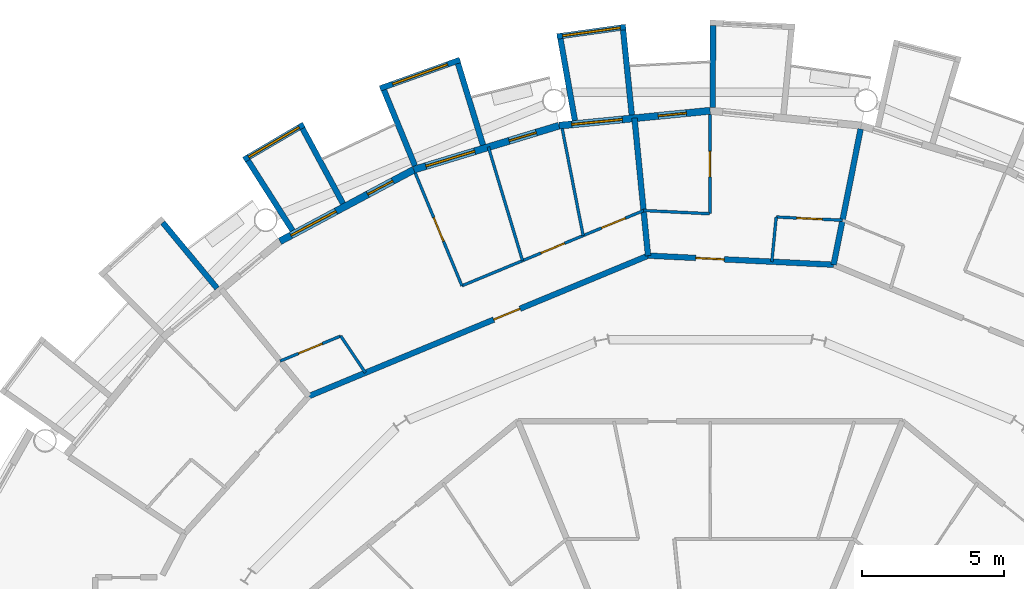
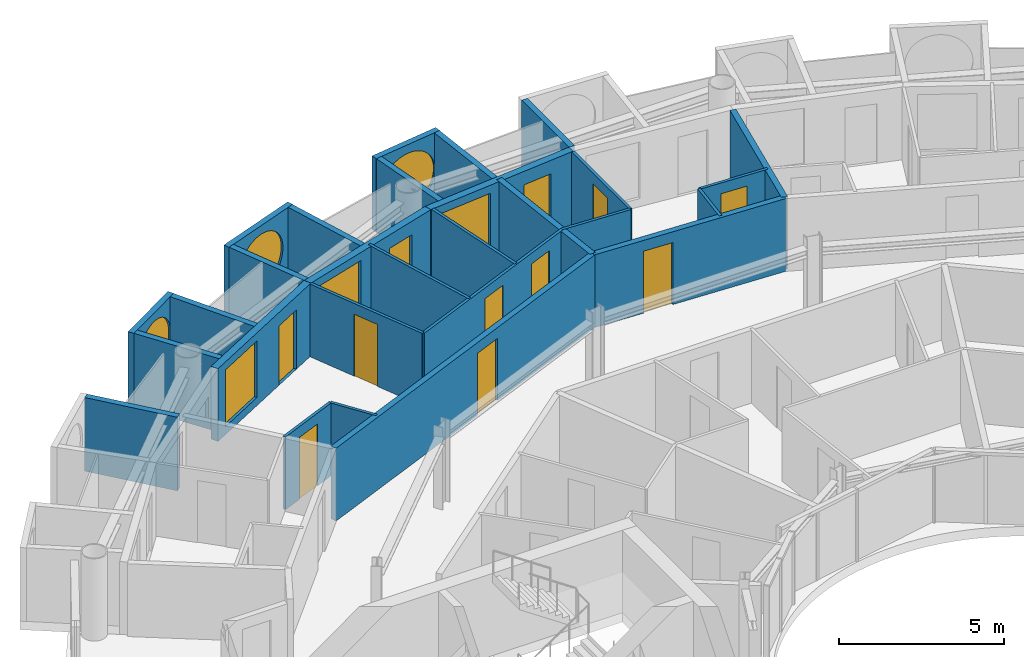
# One storey, part 21 of 28: 28 walls, 11 doors, 6 windows, 17 openings.
"""IFC4 building model written with IfcOpenShell, lengths in metres."""

from ifc_helpers import new_model, si_unit, direction, frame, frame_2d, origin, place, context, subcontext, project, spatial, rectangle, circle, extrude, material, layer, layer_set, type_object, element, fill, save


model = new_model("IFC4")

# Units and contexts
model_context = context("Model", 3, precision=1e-05, world=origin(), true_north=direction((0.0, 1.0)))
body_context = subcontext(model_context, "Body", "Model", "MODEL_VIEW")
ifc_project = project(units=[si_unit("LENGTHUNIT", "METRE"), si_unit("AREAUNIT", "SQUARE_METRE"), si_unit("VOLUMEUNIT", "CUBIC_METRE"), si_unit("PLANEANGLEUNIT", "RADIAN"), si_unit("MASSUNIT", "GRAM", prefix="KILO")], contexts=[model_context])

# Site, building, storey
site_placement = place(None, origin())
site = spatial("IfcSite", under=ifc_project, at=site_placement, CompositionType="ELEMENT")
building_placement = place(site_placement, origin())
building = spatial("IfcBuilding", under=site, at=building_placement, Name="Maasbend Ring Residences", CompositionType="ELEMENT")
storey_placement = place(building_placement, frame((0.0, 0.0, 173.800048828125)))
storey = spatial("IfcBuildingStorey", under=building, at=storey_placement, Name="L50", CompositionType="ELEMENT", Elevation=173.800048828125)

# Wall, opening, door
ifc_material_1 = material(Name="Concrete C30/37", Category="concrete")
ifc_layer_1 = layer(ifc_material_1, 0.199951171875)
ifc_layer_set_1 = layer_set([ifc_layer_1], Name="Concrete C30/37")
wall_type_1 = type_object("IfcWallType", Name="CORRIDOR WALL 200 CONCRETE", PredefinedType="PARTITIONING", material=ifc_layer_set_1)
wall_1_placement = place(storey_placement, frame((-14.14697265625, 17.238037109375, 0.0), z_axis=(0.0, 0.0, 1.0), x_axis=(0.923860535822, 0.382729291212, 0.0)))
wall_1 = element("IfcWall", 1, at=wall_1_placement, inside=storey, type_object=wall_type_1, Name="U-L50-w107", PredefinedType="PARTITIONING", context=body_context, shape_type="SweptSolid", body=[
    extrude(rectangle(XDim=12.94677734375, YDim=0.199951171875, at=frame_2d((6.473388671875, 0.0))), origin(), (0.0, 0.0, 1.0), 2.699951171875),
])
opening_1_placement = place(wall_1_placement, frame((7.052978515625, 0.0, 0.0)))
opening_1 = element("IfcOpeningElement", 2, at=opening_1_placement, cuts=wall_1, Name="Opening D-5012", PredefinedType="OPENING", context=body_context, shape_type="SweptSolid", body=[
    extrude(rectangle(XDim=1.0, YDim=2.300048828125, at=frame_2d((0.5, 1.14990234375))), frame((0.0, 0.10986328125, 0.0), z_axis=(0.0, -1.0, 0.0), x_axis=(1.0, 0.0, 0.0)), (0.0, 0.0, 1.0), 0.219970703125),
])
ifc_material_2 = material(Name="Timber, fire-rated, painted", Category="wood")
door_type_1 = type_object("IfcDoorType", Name="FLAT ENTRANCE DOOR 1000 X 2300 FIRE-RATED", OperationType="NOTDEFINED", PredefinedType="DOOR", material=ifc_material_2)
door_1_placement = place(opening_1_placement, origin())
door_1 = element("IfcDoor", 3, at=door_1_placement, inside=storey, type_object=door_type_1, Name="D-5012", OperationType="SINGLE_SWING_RIGHT", OverallHeight=2.300048828125, OverallWidth=1.0, PredefinedType="DOOR", context=body_context, shape_type="SweptSolid", body=[
    extrude(rectangle(XDim=1.0, YDim=2.300048828125, at=frame_2d((0.5, 1.14990234375))), frame((0.0, 0.02490234375, 0.0), z_axis=(0.0, -1.0, 0.0), x_axis=(1.0, 0.0, 0.0)), (0.0, 0.0, 1.0), 0.050048828125),
])
fill(opening_1, door_1)

wall_2_placement = place(storey_placement, frame((-2.18603515625, 22.193115234375, 0.0), z_axis=(0.0, 0.0, 1.0), x_axis=(0.998796224858, -0.049052025534, 0.0)))
wall_2 = element("IfcWall", 4, at=wall_2_placement, inside=storey, type_object=wall_type_1, Name="U-L50-w113", PredefinedType="PARTITIONING", context=body_context, shape_type="SweptSolid", body=[
    extrude(rectangle(XDim=6.544921875, YDim=0.199951171875, at=frame_2d((3.2724609375, 0.0))), origin(), (0.0, 0.0, 1.0), 2.699951171875),
])
opening_2_placement = place(wall_2_placement, frame((1.681884765625, 0.0, 0.0)))
opening_2 = element("IfcOpeningElement", 5, at=opening_2_placement, cuts=wall_2, Name="Opening D-5009", PredefinedType="OPENING", context=body_context, shape_type="SweptSolid", body=[
    extrude(rectangle(XDim=1.0, YDim=2.300048828125, at=frame_2d((0.5, 1.14990234375))), frame((0.0, 0.10986328125, 0.0), z_axis=(0.0, -1.0, 0.0), x_axis=(1.0, 0.0, 0.0)), (0.0, 0.0, 1.0), 0.219970703125),
])
door_2_placement = place(opening_2_placement, origin())
door_2 = element("IfcDoor", 6, at=door_2_placement, inside=storey, type_object=door_type_1, Name="D-5009", OperationType="SINGLE_SWING_LEFT", OverallHeight=2.300048828125, OverallWidth=1.0, PredefinedType="DOOR", context=body_context, shape_type="SweptSolid", body=[
    extrude(rectangle(XDim=1.0, YDim=2.300048828125, at=frame_2d((0.5, 1.14990234375))), frame((0.0, 0.02490234375, 0.0), z_axis=(0.0, -1.0, 0.0), x_axis=(1.0, 0.0, 0.0)), (0.0, 0.0, 1.0), 0.050048828125),
])
fill(opening_2, door_2)

# Wall
ifc_material_3 = material(Name="Pale anodised aluminium panel", Category="aluminium")
ifc_layer_2 = layer(ifc_material_3, 0.199951171875)
ifc_layer_set_2 = layer_set([ifc_layer_2], Name="EW-BOX")
wall_type_2 = type_object("IfcWallType", Name="EW-BOX", PredefinedType="SOLIDWALL", material=ifc_layer_set_2)
wall_3_placement = place(storey_placement, frame((0.090087890625, 27.4169921875, -0.030029296875), z_axis=(0.0, 0.0, 1.0), x_axis=(0.00347308367, 0.999993968827, 0.0)))
element("IfcWall", 7, at=wall_3_placement, inside=storey, type_object=wall_type_2, Name="Box side wall N10 right", PredefinedType="SOLIDWALL", context=body_context, shape_type="SweptSolid", body=[
    extrude(rectangle(XDim=2.882080078125, YDim=0.199951171875, at=frame_2d((1.44091796875, 0.0))), origin(), (0.0, 0.0, 1.0), 2.72998046875),
])

# Wall, opening, window
wall_4_placement = place(storey_placement, frame((-2.97607421875, 30.25390625, -0.030029296875), z_axis=(0.0, 0.0, 1.0), x_axis=(-0.990462016113, -0.137786046596, 0.0)))
wall_4 = element("IfcWall", 8, at=wall_4_placement, inside=storey, type_object=wall_type_2, Name="Box front N12", PredefinedType="SOLIDWALL", context=body_context, shape_type="SweptSolid", body=[
    extrude(rectangle(XDim=2.4453125, YDim=0.199951171875, at=frame_2d((1.22265625, 0.0))), origin(), (0.0, 0.0, 1.0), 2.72998046875),
])
opening_3_placement = place(wall_4_placement, frame((0.182861328125, 0.0, 0.330078125)))
opening_3 = element("IfcOpeningElement", 9, at=opening_3_placement, cuts=wall_4, Name="Opening W-RD", PredefinedType="OPENING", context=body_context, shape_type="SweptSolid", body=[
    extrude(circle(Radius=1.0400390625, at=frame_2d((1.0400390625, 1.0400390625))), frame((0.0, 0.10986328125, 0.0), z_axis=(0.0, -1.0, 0.0), x_axis=(1.0, 0.0, 0.0)), (0.0, 0.0, 1.0), 0.219970703125),
])
ifc_material_4 = material(Name="Aluminium and clear glass", Category="aluminium")
window_type_1 = type_object("IfcWindowType", Name="W-RD", PartitioningType="SINGLE_PANEL", PredefinedType="WINDOW", material=ifc_material_4)
window_1_placement = place(opening_3_placement, origin())
window_1 = element("IfcWindow", 10, at=window_1_placement, inside=storey, type_object=window_type_1, Name="Round window N12", OverallHeight=2.080078125, OverallWidth=2.080078125, PartitioningType="SINGLE_PANEL", PredefinedType="WINDOW", context=body_context, shape_type="SweptSolid", body=[
    extrude(circle(Radius=1.0400390625, at=frame_2d((1.0400390625, 1.0400390625))), frame((0.0, 0.030029296875, 0.0), z_axis=(0.0, -1.0, 0.0), x_axis=(1.0, 0.0, 0.0)), (0.0, 0.0, 1.0), 0.06005859375),
])
fill(opening_3, window_1)

# Walls
wall_5_placement = place(storey_placement, frame((-2.763916015625, 27.153076171875, -0.030029296875), z_axis=(0.0, 0.0, 1.0), x_axis=(-0.101505487237, 0.994834979311, 0.0)))
element("IfcWall", 11, at=wall_5_placement, inside=storey, type_object=wall_type_2, Name="Box side wall N12 left", PredefinedType="SOLIDWALL", context=body_context, shape_type="SweptSolid", body=[
    extrude(rectangle(XDim=3.006591796875, YDim=0.199951171875, at=frame_2d((1.50341796875, 0.0))), origin(), (0.0, 0.0, 1.0), 2.72998046875),
])
wall_6_placement = place(storey_placement, frame((-4.76904296875, 26.9560546875, -0.030029296875), z_axis=(0.0, 0.0, 1.0), x_axis=(-0.174056778901, 0.984735618183, 0.0)))
element("IfcWall", 12, at=wall_6_placement, inside=storey, type_object=wall_type_2, Name="Box side wall N12 right", PredefinedType="SOLIDWALL", context=body_context, shape_type="SweptSolid", body=[
    extrude(rectangle(XDim=2.924560546875, YDim=0.199951171875, at=frame_2d((1.46240234375, 0.0))), origin(), (0.0, 0.0, 1.0), 2.72998046875),
])

# Wall, opening, window
wall_7_placement = place(storey_placement, frame((-8.820068359375, 29.093017578125, -0.030029296875), z_axis=(0.0, 0.0, 1.0), x_axis=(-0.941461077774, -0.337121697664, 0.0)))
wall_7 = element("IfcWall", 13, at=wall_7_placement, inside=storey, type_object=wall_type_2, Name="Box front N14", PredefinedType="SOLIDWALL", context=body_context, shape_type="SweptSolid", body=[
    extrude(rectangle(XDim=2.9931640625, YDim=0.199951171875, at=frame_2d((1.49658203125, 0.0))), origin(), (0.0, 0.0, 1.0), 2.72998046875),
])
opening_4_placement = place(wall_7_placement, frame((0.45654296875, 0.0, 0.330078125)))
opening_4 = element("IfcOpeningElement", 14, at=opening_4_placement, cuts=wall_7, Name="Opening W-RD", PredefinedType="OPENING", context=body_context, shape_type="SweptSolid", body=[
    extrude(circle(Radius=1.0400390625, at=frame_2d((1.0400390625, 1.0400390625))), frame((0.0, 0.10986328125, 0.0), z_axis=(0.0, -1.0, 0.0), x_axis=(1.0, 0.0, 0.0)), (0.0, 0.0, 1.0), 0.219970703125),
])
window_2_placement = place(opening_4_placement, origin())
window_2 = element("IfcWindow", 15, at=window_2_placement, inside=storey, type_object=window_type_1, Name="Round window N14", OverallHeight=2.080078125, OverallWidth=2.080078125, PartitioningType="SINGLE_PANEL", PredefinedType="WINDOW", context=body_context, shape_type="SweptSolid", body=[
    extrude(circle(Radius=1.0400390625, at=frame_2d((1.0400390625, 1.0400390625))), frame((0.0, 0.030029296875, 0.0), z_axis=(0.0, -1.0, 0.0), x_axis=(1.0, 0.0, 0.0)), (0.0, 0.0, 1.0), 0.06005859375),
])
fill(opening_4, window_2)

# Walls
wall_8_placement = place(storey_placement, frame((-8.009033203125, 26.092041015625, -0.030029296875), z_axis=(0.0, 0.0, 1.0), x_axis=(-0.293406695073, 0.955987715029, 0.0)))
element("IfcWall", 16, at=wall_8_placement, inside=storey, type_object=wall_type_2, Name="Box side wall N14 left", PredefinedType="SOLIDWALL", context=body_context, shape_type="SweptSolid", body=[
    extrude(rectangle(XDim=3.00634765625, YDim=0.199951171875, at=frame_2d((1.503173828125, 0.0))), origin(), (0.0, 0.0, 1.0), 2.72998046875),
])
wall_9_placement = place(storey_placement, frame((-10.408935546875, 25.364013671875, -0.030029296875), z_axis=(0.0, 0.0, 1.0), x_axis=(-0.379509886562, 0.925187681501, 0.0)))
element("IfcWall", 17, at=wall_9_placement, inside=storey, type_object=wall_type_2, Name="Box side wall N14 right", PredefinedType="SOLIDWALL", context=body_context, shape_type="SweptSolid", body=[
    extrude(rectangle(XDim=2.882568359375, YDim=0.199951171875, at=frame_2d((1.44140625, 0.0))), origin(), (0.0, 0.0, 1.0), 2.72998046875),
])

# Wall, opening, window
wall_10_placement = place(storey_placement, frame((-14.326904296875, 26.81201171875, -0.030029296875), z_axis=(0.0, 0.0, 1.0), x_axis=(-0.862403467503, -0.506221551535, 0.0)))
wall_10 = element("IfcWall", 18, at=wall_10_placement, inside=storey, type_object=wall_type_2, Name="Box front N16", PredefinedType="SOLIDWALL", context=body_context, shape_type="SweptSolid", body=[
    extrude(rectangle(XDim=2.445556640625, YDim=0.199951171875, at=frame_2d((1.22265625, 0.0))), origin(), (0.0, 0.0, 1.0), 2.72998046875),
])
opening_5_placement = place(wall_10_placement, frame((0.182861328125, 0.0, 0.330078125)))
opening_5 = element("IfcOpeningElement", 19, at=opening_5_placement, cuts=wall_10, Name="Opening W-RD", PredefinedType="OPENING", context=body_context, shape_type="SweptSolid", body=[
    extrude(circle(Radius=1.0400390625, at=frame_2d((1.0400390625, 1.0400390625))), frame((0.0, 0.10986328125, 0.0), z_axis=(0.0, -1.0, 0.0), x_axis=(1.0, 0.0, 0.0)), (0.0, 0.0, 1.0), 0.219970703125),
])
window_3_placement = place(opening_5_placement, origin())
window_3 = element("IfcWindow", 20, at=window_3_placement, inside=storey, type_object=window_type_1, Name="Round window N16", OverallHeight=2.080078125, OverallWidth=2.080078125, PartitioningType="SINGLE_PANEL", PredefinedType="WINDOW", context=body_context, shape_type="SweptSolid", body=[
    extrude(circle(Radius=1.0400390625, at=frame_2d((1.0400390625, 1.0400390625))), frame((0.0, 0.030029296875, 0.0), z_axis=(0.0, -1.0, 0.0), x_axis=(1.0, 0.0, 0.0)), (0.0, 0.0, 1.0), 0.06005859375),
])
fill(opening_5, window_3)

# Walls
wall_11_placement = place(storey_placement, frame((-12.945068359375, 24.029052734375, -0.030029296875), z_axis=(0.0, 0.0, 1.0), x_axis=(-0.474424310775, 0.88029629861, 0.0)))
element("IfcWall", 21, at=wall_11_placement, inside=storey, type_object=wall_type_2, Name="Box side wall N16 left", PredefinedType="SOLIDWALL", context=body_context, shape_type="SweptSolid", body=[
    extrude(rectangle(XDim=3.005859375, YDim=0.199951171875, at=frame_2d((1.5029296875, 0.0))), origin(), (0.0, 0.0, 1.0), 2.72998046875),
])
wall_12_placement = place(storey_placement, frame((-14.721923828125, 23.0791015625, -0.030029296875), z_axis=(0.0, 0.0, 1.0), x_axis=(-0.537572179146, 0.843217737129, 0.0)))
element("IfcWall", 22, at=wall_12_placement, inside=storey, type_object=wall_type_2, Name="Box side wall N16 right", PredefinedType="SOLIDWALL", context=body_context, shape_type="SweptSolid", body=[
    extrude(rectangle(XDim=2.92431640625, YDim=0.199951171875, at=frame_2d((1.462158203125, 0.0))), origin(), (0.0, 0.0, 1.0), 2.72998046875),
])
wall_13_placement = place(storey_placement, frame((-17.384033203125, 21.041015625, -0.030029296875), z_axis=(0.0, 0.0, 1.0), x_axis=(-0.63709551667, 0.770784861449, 0.0)))
element("IfcWall", 23, at=wall_13_placement, inside=storey, type_object=wall_type_2, Name="Box side wall N18 left", PredefinedType="SOLIDWALL", context=body_context, shape_type="SweptSolid", body=[
    extrude(rectangle(XDim=3.005859375, YDim=0.199951171875, at=frame_2d((1.5029296875, 0.0))), origin(), (0.0, 0.0, 1.0), 2.72998046875),
])

# Wall, openings, door, window
ifc_material_5 = material(Name="Aluminium clad insulated panel", Category="aluminium")
ifc_layer_3 = layer(ifc_material_5, 0.25)
ifc_layer_set_3 = layer_set([ifc_layer_3], Name="EW-GL")
wall_type_3 = type_object("IfcWallType", Name="EW-GL", PredefinedType="SOLIDWALL", material=ifc_layer_set_3)
wall_14_placement = place(storey_placement, frame((0.0, 27.300048828125, 0.0), z_axis=(0.0, 0.0, 1.0), x_axis=(-0.995173996315, -0.098126026407, 0.0)))
wall_14 = element("IfcWall", 24, at=wall_14_placement, inside=storey, type_object=wall_type_3, Name="External wall N06", PredefinedType="SOLIDWALL", context=body_context, shape_type="SweptSolid", body=[
    extrude(rectangle(XDim=5.351806640625, YDim=0.25, at=frame_2d((2.67578125, 0.0))), origin(), (0.0, 0.0, 1.0), 2.699951171875),
])
opening_6_placement = place(wall_14_placement, frame((0.841064453125, 0.0, 0.0)))
opening_6 = element("IfcOpeningElement", 25, at=opening_6_placement, cuts=wall_14, Name="Opening D-LG", PredefinedType="OPENING", context=body_context, shape_type="SweptSolid", body=[
    extrude(rectangle(XDim=1.0, YDim=2.199951171875, at=frame_2d((0.5, 1.10009765625))), frame((0.0, 0.135009765625, 0.0), z_axis=(0.0, -1.0, 0.0), x_axis=(1.0, 0.0, 0.0)), (0.0, 0.0, 1.0), 0.27001953125),
])
opening_7_placement = place(wall_14_placement, frame((3.110595703125, 0.0, 0.300048828125)))
opening_7 = element("IfcOpeningElement", 26, at=opening_7_placement, cuts=wall_14, Name="Opening W-BX", PredefinedType="OPENING", context=body_context, shape_type="SweptSolid", body=[
    extrude(rectangle(XDim=1.800048828125, YDim=2.10009765625, at=frame_2d((0.89990234375, 1.050048828125))), frame((0.0, 0.135009765625, 0.0), z_axis=(0.0, -1.0, 0.0), x_axis=(1.0, 0.0, 0.0)), (0.0, 0.0, 1.0), 0.27001953125),
])
ifc_material_6 = material(Name="Aluminium and clear glass", Category="aluminium")
door_type_2 = type_object("IfcDoorType", Name="D-LG", OperationType="SINGLE_SWING_LEFT", PredefinedType="DOOR", material=ifc_material_6)
door_3_placement = place(opening_6_placement, origin())
door_3 = element("IfcDoor", 27, at=door_3_placement, inside=storey, type_object=door_type_2, Name="Loggia door N11", OperationType="SINGLE_SWING_LEFT", OverallHeight=2.199951171875, OverallWidth=1.0, PredefinedType="DOOR", context=body_context, shape_type="SweptSolid", body=[
    extrude(rectangle(XDim=1.0, YDim=2.199951171875, at=frame_2d((0.5, 1.10009765625))), frame((0.0, 0.02490234375, 0.0), z_axis=(0.0, -1.0, 0.0), x_axis=(1.0, 0.0, 0.0)), (0.0, 0.0, 1.0), 0.050048828125),
])
fill(opening_6, door_3)
ifc_material_7 = material(Name="Aluminium and clear glass", Category="aluminium")
window_type_2 = type_object("IfcWindowType", Name="W-BX", PartitioningType="DOUBLE_PANEL_VERTICAL", PredefinedType="WINDOW", material=ifc_material_7)
window_4_placement = place(opening_7_placement, origin())
window_4 = element("IfcWindow", 28, at=window_4_placement, inside=storey, type_object=window_type_2, Name="Window N12 room to box", OverallHeight=2.10009765625, OverallWidth=1.800048828125, PartitioningType="SINGLE_PANEL", PredefinedType="WINDOW", context=body_context, shape_type="SweptSolid", body=[
    extrude(rectangle(XDim=1.800048828125, YDim=2.10009765625, at=frame_2d((0.89990234375, 1.050048828125))), frame((0.0, 0.030029296875, 0.0), z_axis=(0.0, -1.0, 0.0), x_axis=(1.0, 0.0, 0.0)), (0.0, 0.0, 1.0), 0.06005859375),
])
fill(opening_7, window_4)

wall_15_placement = place(storey_placement, frame((-5.325927734375, 26.77490234375, 0.0), z_axis=(0.0, 0.0, 1.0), x_axis=(-0.956965678721, -0.290201119486, 0.0)))
wall_15 = element("IfcWall", 29, at=wall_15_placement, inside=storey, type_object=wall_type_3, Name="External wall N07", PredefinedType="SOLIDWALL", context=body_context, shape_type="SweptSolid", body=[
    extrude(rectangle(XDim=5.351318359375, YDim=0.25, at=frame_2d((2.67578125, 0.0))), origin(), (0.0, 0.0, 1.0), 2.699951171875),
])
opening_8_placement = place(wall_15_placement, frame((0.841064453125, 0.0, 0.0)))
opening_8 = element("IfcOpeningElement", 30, at=opening_8_placement, cuts=wall_15, Name="Opening D-LG", PredefinedType="OPENING", context=body_context, shape_type="SweptSolid", body=[
    extrude(rectangle(XDim=1.0, YDim=2.199951171875, at=frame_2d((0.5, 1.10009765625))), frame((0.0, 0.135009765625, 0.0), z_axis=(0.0, -1.0, 0.0), x_axis=(1.0, 0.0, 0.0)), (0.0, 0.0, 1.0), 0.27001953125),
])
opening_9_placement = place(wall_15_placement, frame((3.110595703125, 0.0, 0.300048828125)))
opening_9 = element("IfcOpeningElement", 31, at=opening_9_placement, cuts=wall_15, Name="Opening W-BX", PredefinedType="OPENING", context=body_context, shape_type="SweptSolid", body=[
    extrude(rectangle(XDim=1.800048828125, YDim=2.10009765625, at=frame_2d((0.89990234375, 1.050048828125))), frame((0.0, 0.135009765625, 0.0), z_axis=(0.0, -1.0, 0.0), x_axis=(1.0, 0.0, 0.0)), (0.0, 0.0, 1.0), 0.27001953125),
])
door_4_placement = place(opening_8_placement, origin())
door_4 = element("IfcDoor", 32, at=door_4_placement, inside=storey, type_object=door_type_2, Name="Loggia door N13", OperationType="SINGLE_SWING_LEFT", OverallHeight=2.199951171875, OverallWidth=1.0, PredefinedType="DOOR", context=body_context, shape_type="SweptSolid", body=[
    extrude(rectangle(XDim=1.0, YDim=2.199951171875, at=frame_2d((0.5, 1.10009765625))), frame((0.0, 0.02490234375, 0.0), z_axis=(0.0, -1.0, 0.0), x_axis=(1.0, 0.0, 0.0)), (0.0, 0.0, 1.0), 0.050048828125),
])
fill(opening_8, door_4)
window_5_placement = place(opening_9_placement, origin())
window_5 = element("IfcWindow", 33, at=window_5_placement, inside=storey, type_object=window_type_2, Name="Window N14 room to box", OverallHeight=2.10009765625, OverallWidth=1.800048828125, PartitioningType="SINGLE_PANEL", PredefinedType="WINDOW", context=body_context, shape_type="SweptSolid", body=[
    extrude(rectangle(XDim=1.800048828125, YDim=2.10009765625, at=frame_2d((0.89990234375, 1.050048828125))), frame((0.0, 0.030029296875, 0.0), z_axis=(0.0, -1.0, 0.0), x_axis=(1.0, 0.0, 0.0)), (0.0, 0.0, 1.0), 0.06005859375),
])
fill(opening_9, window_5)

wall_16_placement = place(storey_placement, frame((-10.447021484375, 25.221923828125, 0.0), z_axis=(0.0, 0.0, 1.0), x_axis=(-0.881915646801, -0.471407246368, 0.0)))
wall_16 = element("IfcWall", 34, at=wall_16_placement, inside=storey, type_object=wall_type_3, Name="External wall N08", PredefinedType="SOLIDWALL", context=body_context, shape_type="SweptSolid", body=[
    extrude(rectangle(XDim=5.35205078125, YDim=0.25, at=frame_2d((2.676025390625, 0.0))), origin(), (0.0, 0.0, 1.0), 2.699951171875),
])
opening_10_placement = place(wall_16_placement, frame((0.841064453125, 0.0, 0.0)))
opening_10 = element("IfcOpeningElement", 35, at=opening_10_placement, cuts=wall_16, Name="Opening D-LG", PredefinedType="OPENING", context=body_context, shape_type="SweptSolid", body=[
    extrude(rectangle(XDim=1.0, YDim=2.199951171875, at=frame_2d((0.5, 1.10009765625))), frame((0.0, 0.135009765625, 0.0), z_axis=(0.0, -1.0, 0.0), x_axis=(1.0, 0.0, 0.0)), (0.0, 0.0, 1.0), 0.27001953125),
])
opening_11_placement = place(wall_16_placement, frame((3.110595703125, 0.0, 0.300048828125)))
opening_11 = element("IfcOpeningElement", 36, at=opening_11_placement, cuts=wall_16, Name="Opening W-BX", PredefinedType="OPENING", context=body_context, shape_type="SweptSolid", body=[
    extrude(rectangle(XDim=1.800048828125, YDim=2.10009765625, at=frame_2d((0.89990234375, 1.050048828125))), frame((0.0, 0.135009765625, 0.0), z_axis=(0.0, -1.0, 0.0), x_axis=(1.0, 0.0, 0.0)), (0.0, 0.0, 1.0), 0.27001953125),
])
door_5_placement = place(opening_10_placement, origin())
door_5 = element("IfcDoor", 37, at=door_5_placement, inside=storey, type_object=door_type_2, Name="Loggia door N15", OperationType="SINGLE_SWING_LEFT", OverallHeight=2.199951171875, OverallWidth=1.0, PredefinedType="DOOR", context=body_context, shape_type="SweptSolid", body=[
    extrude(rectangle(XDim=1.0, YDim=2.199951171875, at=frame_2d((0.5, 1.10009765625))), frame((0.0, 0.02490234375, 0.0), z_axis=(0.0, -1.0, 0.0), x_axis=(1.0, 0.0, 0.0)), (0.0, 0.0, 1.0), 0.050048828125),
])
fill(opening_10, door_5)
window_6_placement = place(opening_11_placement, origin())
window_6 = element("IfcWindow", 38, at=window_6_placement, inside=storey, type_object=window_type_2, Name="Window N16 room to box", OverallHeight=2.10009765625, OverallWidth=1.800048828125, PartitioningType="SINGLE_PANEL", PredefinedType="WINDOW", context=body_context, shape_type="SweptSolid", body=[
    extrude(rectangle(XDim=1.800048828125, YDim=2.10009765625, at=frame_2d((0.89990234375, 1.050048828125))), frame((0.0, 0.030029296875, 0.0), z_axis=(0.0, -1.0, 0.0), x_axis=(1.0, 0.0, 0.0)), (0.0, 0.0, 1.0), 0.06005859375),
])
fill(opening_11, window_6)

# Wall
ifc_material_8 = material(Name="Gypsum board on steel studs", Category="steel")
ifc_layer_4 = layer(ifc_material_8, 0.10009765625)
ifc_layer_set_4 = layer_set([ifc_layer_4], Name="PARTITION 100 GYPSUM")
wall_type_4 = type_object("IfcWallType", Name="PARTITION 100 GYPSUM", PredefinedType="PARTITIONING", material=ifc_layer_set_4)
wall_17_placement = place(storey_placement, frame((-13.02490234375, 19.360107421875, 0.0), z_axis=(0.0, 0.0, 1.0), x_axis=(0.558121913892, -0.829758958514, 0.0)))
element("IfcWall", 39, at=wall_17_placement, inside=storey, type_object=wall_type_4, Name="U-L50-w041", PredefinedType="PARTITIONING", context=body_context, shape_type="SweptSolid", body=[
    extrude(rectangle(XDim=1.56201171875, YDim=0.10009765625, at=frame_2d((0.781005859375, 0.0))), origin(), (0.0, 0.0, 1.0), 2.699951171875),
])

# Wall, opening, door
wall_18_placement = place(storey_placement, frame((-10.39892578125, 25.10595703125, 0.0), z_axis=(0.0, 0.0, 1.0), x_axis=(0.382689142274, -0.923877167369, 0.0)))
wall_18 = element("IfcWall", 40, at=wall_18_placement, inside=storey, type_object=wall_type_4, Name="U-L50-w045", PredefinedType="PARTITIONING", context=body_context, shape_type="SweptSolid", body=[
    extrude(rectangle(XDim=4.3037109375, YDim=0.10009765625, at=frame_2d((2.15185546875, 0.0))), origin(), (0.0, 0.0, 1.0), 2.699951171875),
])
opening_12_placement = place(wall_18_placement, frame((1.701904296875, 0.0, 0.0)))
opening_12 = element("IfcOpeningElement", 41, at=opening_12_placement, cuts=wall_18, Name="Opening D-5014", PredefinedType="OPENING", context=body_context, shape_type="SweptSolid", body=[
    extrude(rectangle(XDim=0.89990234375, YDim=2.300048828125, at=frame_2d((0.449951171875, 1.14990234375))), frame((0.0, 0.06005859375, 0.0), z_axis=(0.0, -1.0, 0.0), x_axis=(1.0, 0.0, 0.0)), (0.0, 0.0, 1.0), 0.1201171875),
])
ifc_material_9 = material(Name="Timber, painted", Category="wood")
door_type_3 = type_object("IfcDoorType", Name="INTERNAL DOOR 900 X 2300", OperationType="NOTDEFINED", PredefinedType="DOOR", material=ifc_material_9)
door_6_placement = place(opening_12_placement, origin())
door_6 = element("IfcDoor", 42, at=door_6_placement, inside=storey, type_object=door_type_3, Name="D-5014", OperationType="SINGLE_SWING_LEFT", OverallHeight=2.300048828125, OverallWidth=0.89990234375, PredefinedType="DOOR", context=body_context, shape_type="SweptSolid", body=[
    extrude(rectangle(XDim=0.89990234375, YDim=2.300048828125, at=frame_2d((0.449951171875, 1.14990234375))), frame((0.0, 0.02490234375, 0.0), z_axis=(0.0, -1.0, 0.0), x_axis=(1.0, 0.0, 0.0)), (0.0, 0.0, 1.0), 0.050048828125),
])
fill(opening_12, door_6)

# Walls
wall_19_placement = place(storey_placement, frame((-7.821044921875, 26.02490234375, 0.0), z_axis=(0.0, 0.0, 1.0), x_axis=(0.287802539521, -0.957689771401, 0.0)))
element("IfcWall", 43, at=wall_19_placement, inside=storey, type_object=wall_type_4, Name="U-L50-w050", PredefinedType="PARTITIONING", context=body_context, shape_type="SweptSolid", body=[
    extrude(rectangle(XDim=4.187255859375, YDim=0.10009765625, at=frame_2d((2.09375, 0.0))), origin(), (0.0, 0.0, 1.0), 2.699951171875),
])
wall_20_placement = place(storey_placement, frame((-5.217041015625, 26.669921875, 0.0), z_axis=(0.0, 0.0, 1.0), x_axis=(0.192118055779, -0.981371821811, 0.0)))
element("IfcWall", 44, at=wall_20_placement, inside=storey, type_object=wall_type_4, Name="U-L50-w054", PredefinedType="PARTITIONING", context=body_context, shape_type="SweptSolid", body=[
    extrude(rectangle(XDim=3.841552734375, YDim=0.10009765625, at=frame_2d((1.9208984375, 0.0))), origin(), (0.0, 0.0, 1.0), 2.699951171875),
])

# Wall, opening, door
wall_21_placement = place(storey_placement, frame((-0.008056640625, 23.669921875, 0.0), z_axis=(0.0, 0.0, 1.0), x_axis=(-0.000278609727, 0.999999961188, 0.0)))
wall_21 = element("IfcWall", 45, at=wall_21_placement, inside=storey, type_object=wall_type_4, Name="U-L50-w060", PredefinedType="PARTITIONING", context=body_context, shape_type="SweptSolid", body=[
    extrude(rectangle(XDim=3.505126953125, YDim=0.10009765625, at=frame_2d((1.75244140625, 0.0))), origin(), (0.0, 0.0, 1.0), 2.699951171875),
])
opening_13_placement = place(wall_21_placement, frame((1.302978515625, 0.0, 0.0)))
opening_13 = element("IfcOpeningElement", 46, at=opening_13_placement, cuts=wall_21, Name="Opening D-5011", PredefinedType="OPENING", context=body_context, shape_type="SweptSolid", body=[
    extrude(rectangle(XDim=0.89990234375, YDim=2.300048828125, at=frame_2d((0.449951171875, 1.14990234375))), frame((0.0, 0.06005859375, 0.0), z_axis=(0.0, -1.0, 0.0), x_axis=(1.0, 0.0, 0.0)), (0.0, 0.0, 1.0), 0.1201171875),
])
door_7_placement = place(opening_13_placement, origin())
door_7 = element("IfcDoor", 47, at=door_7_placement, inside=storey, type_object=door_type_3, Name="D-5011", OperationType="SINGLE_SWING_RIGHT", OverallHeight=2.300048828125, OverallWidth=0.89990234375, PredefinedType="DOOR", context=body_context, shape_type="SweptSolid", body=[
    extrude(rectangle(XDim=0.89990234375, YDim=2.300048828125, at=frame_2d((0.449951171875, 1.14990234375))), frame((0.0, 0.02490234375, 0.0), z_axis=(0.0, -1.0, 0.0), x_axis=(1.0, 0.0, 0.0)), (0.0, 0.0, 1.0), 0.050048828125),
])
fill(opening_13, door_7)

# Wall
wall_22_placement = place(storey_placement, frame((2.172119140625, 21.97900390625, 0.0), z_axis=(0.0, 0.0, 1.0), x_axis=(0.098358845227, 0.995151012443, 0.0)))
element("IfcWall", 48, at=wall_22_placement, inside=storey, type_object=wall_type_4, Name="U-L50-w065", PredefinedType="PARTITIONING", context=body_context, shape_type="SweptSolid", body=[
    extrude(rectangle(XDim=1.58349609375, YDim=0.10009765625, at=frame_2d((0.791748046875, 0.0))), origin(), (0.0, 0.0, 1.0), 2.699951171875),
])

# Wall, opening, door
wall_23_placement = place(storey_placement, frame((-15.162109375, 18.47509765625, 0.0), z_axis=(0.0, 0.0, 1.0), x_axis=(0.923917795213, 0.382591044968, 0.0)))
wall_23 = element("IfcWall", 49, at=wall_23_placement, inside=storey, type_object=wall_type_4, Name="U-L50-w116", PredefinedType="PARTITIONING", context=body_context, shape_type="SweptSolid", body=[
    extrude(rectangle(XDim=2.313232421875, YDim=0.10009765625, at=frame_2d((1.15673828125, 0.0))), origin(), (0.0, 0.0, 1.0), 2.699951171875),
])
opening_14_placement = place(wall_23_placement, frame((0.70703125, 0.0, 0.0)))
opening_14 = element("IfcOpeningElement", 50, at=opening_14_placement, cuts=wall_23, Name="Opening D-5013", PredefinedType="OPENING", context=body_context, shape_type="SweptSolid", body=[
    extrude(rectangle(XDim=0.89990234375, YDim=2.300048828125, at=frame_2d((0.449951171875, 1.14990234375))), frame((0.0, 0.06005859375, 0.0), z_axis=(0.0, -1.0, 0.0), x_axis=(1.0, 0.0, 0.0)), (0.0, 0.0, 1.0), 0.1201171875),
])
door_8_placement = place(opening_14_placement, origin())
door_8 = element("IfcDoor", 51, at=door_8_placement, inside=storey, type_object=door_type_3, Name="D-5013", OperationType="SINGLE_SWING_LEFT", OverallHeight=2.300048828125, OverallWidth=0.89990234375, PredefinedType="DOOR", context=body_context, shape_type="SweptSolid", body=[
    extrude(rectangle(XDim=0.89990234375, YDim=2.300048828125, at=frame_2d((0.449951171875, 1.14990234375))), frame((0.0, 0.02490234375, 0.0), z_axis=(0.0, -1.0, 0.0), x_axis=(1.0, 0.0, 0.0)), (0.0, 0.0, 1.0), 0.050048828125),
])
fill(opening_14, door_8)

# Wall, openings, doors
wall_24_placement = place(storey_placement, frame((-8.75, 21.131103515625, 0.0), z_axis=(0.0, 0.0, 1.0), x_axis=(0.923964526154, 0.382478175075, 0.0)))
wall_24 = element("IfcWall", 52, at=wall_24_placement, inside=storey, type_object=wall_type_4, Name="U-L50-w117", PredefinedType="PARTITIONING", context=body_context, shape_type="SweptSolid", body=[
    extrude(rectangle(XDim=6.9384765625, YDim=0.10009765625, at=frame_2d((3.46923828125, 0.0))), origin(), (0.0, 0.0, 1.0), 2.699951171875),
])
opening_15_placement = place(wall_24_placement, frame((3.014892578125, 0.0, 0.0)))
opening_15 = element("IfcOpeningElement", 53, at=opening_15_placement, cuts=wall_24, Name="Opening D-5015", PredefinedType="OPENING", context=body_context, shape_type="SweptSolid", body=[
    extrude(rectangle(XDim=0.89990234375, YDim=2.300048828125, at=frame_2d((0.449951171875, 1.14990234375))), frame((0.0, 0.06005859375, 0.0), z_axis=(0.0, -1.0, 0.0), x_axis=(1.0, 0.0, 0.0)), (0.0, 0.0, 1.0), 0.1201171875),
])
opening_16_placement = place(wall_24_placement, frame((5.330078125, 0.0, 0.0)))
opening_16 = element("IfcOpeningElement", 54, at=opening_16_placement, cuts=wall_24, Name="Opening D-5016", PredefinedType="OPENING", context=body_context, shape_type="SweptSolid", body=[
    extrude(rectangle(XDim=0.89990234375, YDim=2.300048828125, at=frame_2d((0.449951171875, 1.14990234375))), frame((0.0, 0.06005859375, 0.0), z_axis=(0.0, -1.0, 0.0), x_axis=(1.0, 0.0, 0.0)), (0.0, 0.0, 1.0), 0.1201171875),
])
door_9_placement = place(opening_15_placement, origin())
door_9 = element("IfcDoor", 55, at=door_9_placement, inside=storey, type_object=door_type_3, Name="D-5015", OperationType="SINGLE_SWING_LEFT", OverallHeight=2.300048828125, OverallWidth=0.89990234375, PredefinedType="DOOR", context=body_context, shape_type="SweptSolid", body=[
    extrude(rectangle(XDim=0.89990234375, YDim=2.300048828125, at=frame_2d((0.449951171875, 1.14990234375))), frame((0.0, 0.02490234375, 0.0), z_axis=(0.0, -1.0, 0.0), x_axis=(1.0, 0.0, 0.0)), (0.0, 0.0, 1.0), 0.050048828125),
])
fill(opening_15, door_9)
door_10_placement = place(opening_16_placement, origin())
door_10 = element("IfcDoor", 56, at=door_10_placement, inside=storey, type_object=door_type_3, Name="D-5016", OperationType="SINGLE_SWING_RIGHT", OverallHeight=2.300048828125, OverallWidth=0.89990234375, PredefinedType="DOOR", context=body_context, shape_type="SweptSolid", body=[
    extrude(rectangle(XDim=0.89990234375, YDim=2.300048828125, at=frame_2d((0.449951171875, 1.14990234375))), frame((0.0, 0.02490234375, 0.0), z_axis=(0.0, -1.0, 0.0), x_axis=(1.0, 0.0, 0.0)), (0.0, 0.0, 1.0), 0.050048828125),
])
fill(opening_16, door_10)

# Wall
wall_25_placement = place(storey_placement, frame((-2.35302734375, 23.783935546875, 0.0), z_axis=(0.0, 0.0, 1.0), x_axis=(0.998809994762, -0.048770835169, 0.0)))
element("IfcWall", 57, at=wall_25_placement, inside=storey, type_object=wall_type_4, Name="U-L50-w124", PredefinedType="PARTITIONING", context=body_context, shape_type="SweptSolid", body=[
    extrude(rectangle(XDim=2.337646484375, YDim=0.10009765625, at=frame_2d((1.1689453125, 0.0))), origin(), (0.0, 0.0, 1.0), 2.699951171875),
])

# Wall, opening, door
wall_26_placement = place(storey_placement, frame((2.327880859375, 23.554931640625, 0.0), z_axis=(0.0, 0.0, 1.0), x_axis=(0.99881024313, -0.04876574841, 0.0)))
wall_26 = element("IfcWall", 58, at=wall_26_placement, inside=storey, type_object=wall_type_4, Name="U-L50-w125", PredefinedType="PARTITIONING", context=body_context, shape_type="SweptSolid", body=[
    extrude(rectangle(XDim=2.337890625, YDim=0.10009765625, at=frame_2d((1.1689453125, 0.0))), origin(), (0.0, 0.0, 1.0), 2.699951171875),
])
opening_17_placement = place(wall_26_placement, frame((0.718994140625, 0.0, 0.0)))
opening_17 = element("IfcOpeningElement", 59, at=opening_17_placement, cuts=wall_26, Name="Opening D-5010", PredefinedType="OPENING", context=body_context, shape_type="SweptSolid", body=[
    extrude(rectangle(XDim=0.89990234375, YDim=2.300048828125, at=frame_2d((0.449951171875, 1.14990234375))), frame((0.0, 0.06005859375, 0.0), z_axis=(0.0, -1.0, 0.0), x_axis=(1.0, 0.0, 0.0)), (0.0, 0.0, 1.0), 0.1201171875),
])
door_11_placement = place(opening_17_placement, origin())
door_11 = element("IfcDoor", 60, at=door_11_placement, inside=storey, type_object=door_type_3, Name="D-5010", OperationType="SINGLE_SWING_RIGHT", OverallHeight=2.300048828125, OverallWidth=0.89990234375, PredefinedType="DOOR", context=body_context, shape_type="SweptSolid", body=[
    extrude(rectangle(XDim=0.89990234375, YDim=2.300048828125, at=frame_2d((0.449951171875, 1.14990234375))), frame((0.0, 0.02490234375, 0.0), z_axis=(0.0, -1.0, 0.0), x_axis=(1.0, 0.0, 0.0)), (0.0, 0.0, 1.0), 0.050048828125),
])
fill(opening_17, door_11)

# Walls
ifc_material_10 = material(Name="Concrete C30/37", Category="concrete")
ifc_layer_5 = layer(ifc_material_10, 0.199951171875)
ifc_layer_set_5 = layer_set([ifc_layer_5], Name="Concrete C30/37")
wall_type_5 = type_object("IfcWallType", Name="PARTY WALL 200 CONCRETE", PredefinedType="PARTITIONING", material=ifc_layer_set_5)
for number, where, z_axis, x_axis, name in (
    (61, (-2.669921875, 27.04296875, 0.0), (0.0, 0.0, 1.0), (0.098263949654, -0.995160387173, 0.0), "U-L50-w057"),
    (62, (4.35205078125, 21.8720703125, 0.0), (0.0, 0.0, 1.0), (0.195268525521, 0.980749816692, 0.0), "U-L50-w071"),
):
    element("IfcWall", number, at=place(storey_placement, frame(where, z_axis=z_axis, x_axis=x_axis)), inside=storey, type_object=wall_type_5, Name=name, PredefinedType="PARTITIONING", context=body_context, shape_type="SweptSolid", body=[
        extrude(rectangle(XDim=4.874755859375, YDim=0.199951171875, at=frame_2d((2.4375, 0.0))), origin(), (0.0, 0.0, 1.0), 2.699951171875),
    ])

save(model, "model.ifc")
